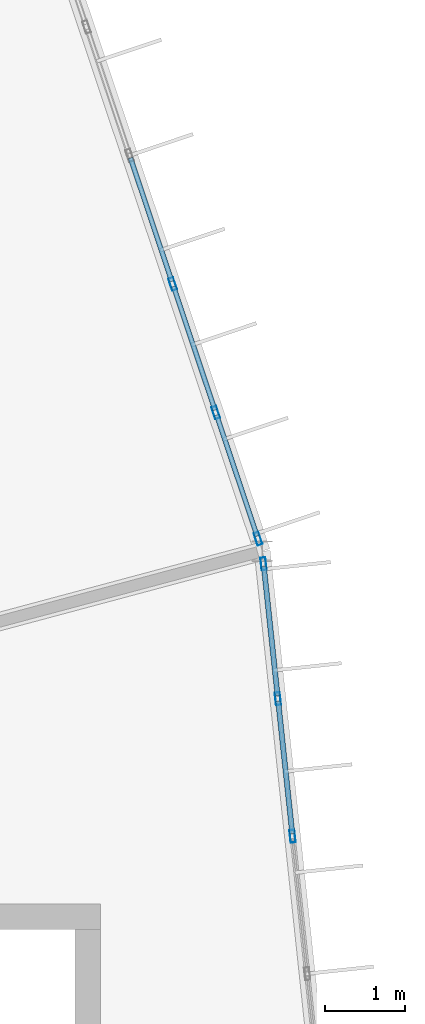
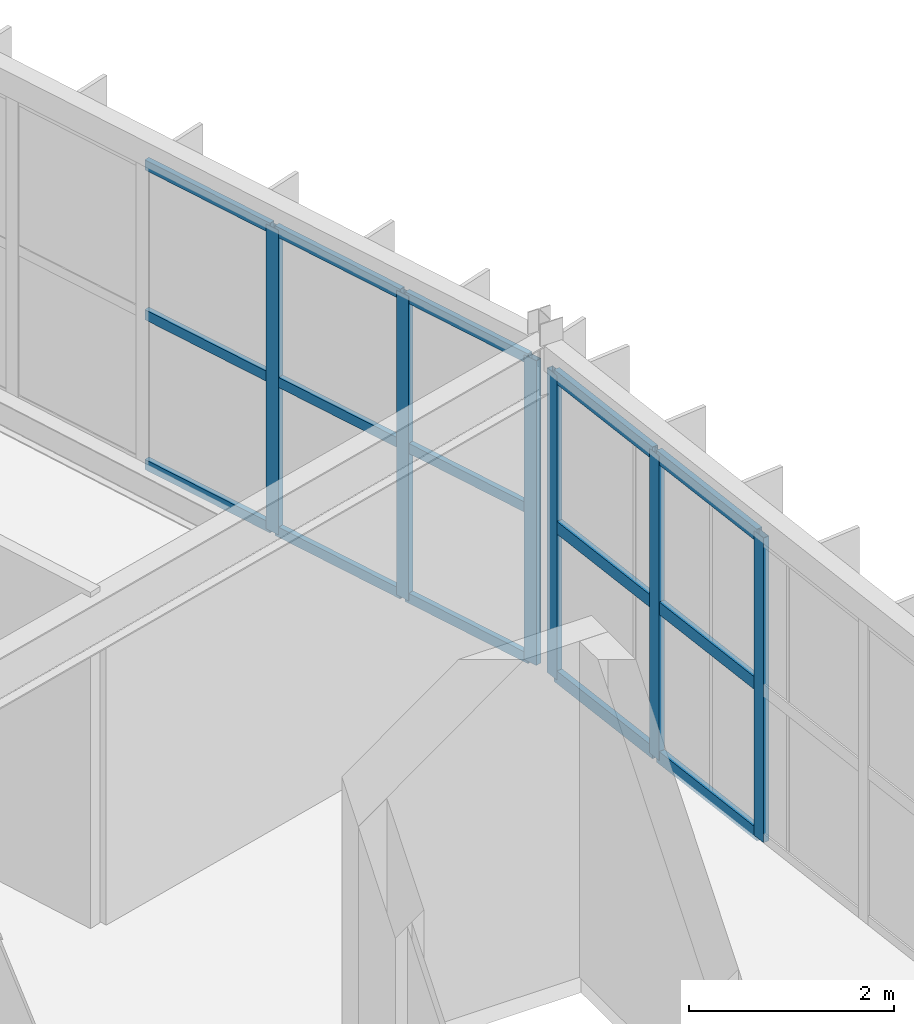
# One storey, part 53 of 106: 21 members, 2 elements without a shape of their own.
"""IFC4 building model written with IfcOpenShell, lengths in metres."""

from ifc_helpers import new_model, si_unit, direction, frame, origin, origin_2d, place, context, subcontext, project, spatial, hollow_rectangle, extrude, material, material_profile, profile_set, type_object, element, aggregate, save


model = new_model("IFC4")

# Units and contexts
model_context = context("Model", 3, precision=1e-05, world=origin(), true_north=direction((0.0, 1.0)))
body_context = subcontext(model_context, "Body", "Model", "MODEL_VIEW")
ifc_project = project(units=[si_unit("LENGTHUNIT", "METRE"), si_unit("AREAUNIT", "SQUARE_METRE"), si_unit("VOLUMEUNIT", "CUBIC_METRE"), si_unit("PLANEANGLEUNIT", "RADIAN"), si_unit("MASSUNIT", "GRAM", prefix="KILO")], contexts=[model_context])

# Site, building, storey
site_placement = place(None, origin())
site = spatial("IfcSite", under=ifc_project, at=site_placement, CompositionType="ELEMENT")
building_placement = place(site_placement, origin())
building = spatial("IfcBuilding", under=site, at=building_placement, Name="Karori Crest Natural Sciences Institute", CompositionType="ELEMENT")
storey_placement = place(building_placement, frame((0.0, 0.0, 25.89990234375)))
storey = spatial("IfcBuildingStorey", under=building, at=storey_placement, Name="L06", CompositionType="ELEMENT", Elevation=25.89990234375)

# Curtain wall, members
ifc_material = material(Name="Anodised architectural aluminium 6063-T6", Category="aluminium")
curtain_wall_type_1 = type_object("IfcCurtainWallType", Name="CWT-01", PredefinedType="NOTDEFINED", material=ifc_material)
curtain_wall_1_placement = place(storey_placement, origin())
curtain_wall_1 = element("IfcCurtainWall", 1, at=curtain_wall_1_placement, inside=storey, type_object=curtain_wall_type_1, Name="Curtain wall CW-0220", PredefinedType="NOTDEFINED")
ifc_material_profile_1 = material_profile(ifc_material, hollow_rectangle(XDim=0.06494140625, YDim=0.159912109375, WallThickness=0.00390625, at=origin_2d()), Name="CWM160x65x4")
ifc_profile_set_1 = profile_set([ifc_material_profile_1], Name="Anodised architectural aluminium 6063-T6")
member_type_1 = type_object("IfcMemberType", Name="CWM-01", PredefinedType="MULLION", material=ifc_profile_set_1)
member_1_placement = place(storey_placement, frame((98.292236328125, 60.302490234375, 0.0), z_axis=(0.0, 0.0, 1.0), x_axis=(0.994378435661, 0.105884496939, 0.0)))
member_1 = element("IfcMember", 2, at=member_1_placement, type_object=member_type_1, Name="CW-0220 mullion 1", PredefinedType="MULLION", context=body_context, shape_type="SweptSolid", body=[
    extrude(hollow_rectangle(XDim=0.06494140625, YDim=0.159912109375, WallThickness=0.00390625, at=origin_2d()), origin(), (0.0, 0.0, 1.0), 3.625),
])
member_2_placement = place(storey_placement, frame((98.471923828125, 58.616943359375, 0.0), z_axis=(0.0, 0.0, 1.0), x_axis=(0.994378435661, 0.105884496939, 0.0)))
member_2 = element("IfcMember", 3, at=member_2_placement, type_object=member_type_1, Name="CW-0220 mullion 2", PredefinedType="MULLION", context=body_context, shape_type="SweptSolid", body=[
    extrude(hollow_rectangle(XDim=0.06494140625, YDim=0.159912109375, WallThickness=0.00390625, at=origin_2d()), origin(), (0.0, 0.0, 1.0), 3.625),
])
member_3_placement = place(storey_placement, frame((98.65478515625, 56.899169921875, 0.0), z_axis=(0.0, 0.0, 1.0), x_axis=(0.994378435661, 0.105884496939, 0.0)))
member_3 = element("IfcMember", 4, at=member_3_placement, type_object=member_type_1, Name="CW-0220 mullion 3", PredefinedType="MULLION", context=body_context, shape_type="SweptSolid", body=[
    extrude(hollow_rectangle(XDim=0.06494140625, YDim=0.159912109375, WallThickness=0.00390625, at=origin_2d()), origin(), (0.0, 0.0, 1.0), 3.625),
])

curtain_wall_type_2 = type_object("IfcCurtainWallType", Name="CWT-02", PredefinedType="NOTDEFINED", material=ifc_material)
curtain_wall_2_placement = place(storey_placement, origin())
curtain_wall_2 = element("IfcCurtainWall", 5, at=curtain_wall_2_placement, inside=storey, type_object=curtain_wall_type_2, Name="Curtain wall CW-0222", PredefinedType="NOTDEFINED")
member_4_placement = place(storey_placement, frame((97.157470703125, 63.796875, 0.0), z_axis=(0.0, 0.0, 1.0), x_axis=(0.94819805026, 0.317679803392, 0.0)))
member_4 = element("IfcMember", 6, at=member_4_placement, type_object=member_type_1, Name="CW-0222 mullion 5", PredefinedType="MULLION", context=body_context, shape_type="SweptSolid", body=[
    extrude(hollow_rectangle(XDim=0.06494140625, YDim=0.159912109375, WallThickness=0.00390625, at=origin_2d()), origin(), (0.0, 0.0, 1.0), 3.625),
])
member_5_placement = place(storey_placement, frame((97.695556640625, 62.19091796875, 0.0), z_axis=(0.0, 0.0, 1.0), x_axis=(0.94819805026, 0.317679803392, 0.0)))
member_5 = element("IfcMember", 7, at=member_5_placement, type_object=member_type_1, Name="CW-0222 mullion 6", PredefinedType="MULLION", context=body_context, shape_type="SweptSolid", body=[
    extrude(hollow_rectangle(XDim=0.06494140625, YDim=0.159912109375, WallThickness=0.00390625, at=origin_2d()), origin(), (0.0, 0.0, 1.0), 3.625),
])
member_6_placement = place(storey_placement, frame((98.223388671875, 60.61572265625, 0.0), z_axis=(0.0, 0.0, 1.0), x_axis=(0.94819805026, 0.317679803392, 0.0)))
member_6 = element("IfcMember", 8, at=member_6_placement, type_object=member_type_1, Name="CW-0222 mullion 7", PredefinedType="MULLION", context=body_context, shape_type="SweptSolid", body=[
    extrude(hollow_rectangle(XDim=0.06494140625, YDim=0.159912109375, WallThickness=0.00390625, at=origin_2d()), origin(), (0.0, 0.0, 1.0), 3.625),
])
ifc_material_profile_2 = material_profile(ifc_material, hollow_rectangle(XDim=0.06005859375, YDim=0.1201171875, WallThickness=0.00390625, at=origin_2d()), Name="CWT120x60x4")
ifc_profile_set_2 = profile_set([ifc_material_profile_2], Name="Anodised architectural aluminium 6063-T6")
member_type_2 = type_object("IfcMemberType", Name="CWT-TR1", PredefinedType="USERDEFINED", material=ifc_profile_set_2)
member_7_placement = place(storey_placement, frame((96.6298828125, 65.3720703125, 0.030029296875), z_axis=(0.317621421426, -0.948217608279, 0.0), x_axis=(0.948217608279, 0.317621421426, 0.0)))
member_7 = element("IfcMember", 9, at=member_7_placement, type_object=member_type_2, Name="CW-0222 transom 4.1", ObjectType="TRANSOM", PredefinedType="USERDEFINED", context=body_context, shape_type="SweptSolid", body=[
    extrude(hollow_rectangle(XDim=0.06005859375, YDim=0.1201171875, WallThickness=0.00390625, at=origin_2d()), origin(), (0.0, 0.0, 1.0), 1.628662109375),
])
member_8_placement = place(storey_placement, frame((96.6298828125, 65.3720703125, 1.8125), z_axis=(0.317621421426, -0.948217608279, 0.0), x_axis=(0.948217608279, 0.317621421426, 0.0)))
member_8 = element("IfcMember", 10, at=member_8_placement, type_object=member_type_2, Name="CW-0222 transom 4.2", ObjectType="TRANSOM", PredefinedType="USERDEFINED", context=body_context, shape_type="SweptSolid", body=[
    extrude(hollow_rectangle(XDim=0.06005859375, YDim=0.1201171875, WallThickness=0.00390625, at=origin_2d()), origin(), (0.0, 0.0, 1.0), 1.628662109375),
])
member_9_placement = place(storey_placement, frame((96.6298828125, 65.3720703125, 3.59521484375), z_axis=(0.317621421426, -0.948217608279, 0.0), x_axis=(0.948217608279, 0.317621421426, 0.0)))
member_9 = element("IfcMember", 11, at=member_9_placement, type_object=member_type_2, Name="CW-0222 transom 4.3", ObjectType="TRANSOM", PredefinedType="USERDEFINED", context=body_context, shape_type="SweptSolid", body=[
    extrude(hollow_rectangle(XDim=0.06005859375, YDim=0.1201171875, WallThickness=0.00390625, at=origin_2d()), origin(), (0.0, 0.0, 1.0), 1.628662109375),
])
member_10_placement = place(storey_placement, frame((97.16796875, 63.76611328125, 0.030029296875), z_axis=(0.317621421426, -0.948217608279, 0.0), x_axis=(0.948217608279, 0.317621421426, 0.0)))
member_10 = element("IfcMember", 12, at=member_10_placement, type_object=member_type_2, Name="CW-0222 transom 5.1", ObjectType="TRANSOM", PredefinedType="USERDEFINED", context=body_context, shape_type="SweptSolid", body=[
    extrude(hollow_rectangle(XDim=0.06005859375, YDim=0.1201171875, WallThickness=0.00390625, at=origin_2d()), origin(), (0.0, 0.0, 1.0), 1.628662109375),
])
member_11_placement = place(storey_placement, frame((97.16796875, 63.76611328125, 1.8125), z_axis=(0.317621421426, -0.948217608279, 0.0), x_axis=(0.948217608279, 0.317621421426, 0.0)))
member_11 = element("IfcMember", 13, at=member_11_placement, type_object=member_type_2, Name="CW-0222 transom 5.2", ObjectType="TRANSOM", PredefinedType="USERDEFINED", context=body_context, shape_type="SweptSolid", body=[
    extrude(hollow_rectangle(XDim=0.06005859375, YDim=0.1201171875, WallThickness=0.00390625, at=origin_2d()), origin(), (0.0, 0.0, 1.0), 1.628662109375),
])
member_12_placement = place(storey_placement, frame((97.16796875, 63.76611328125, 3.59521484375), z_axis=(0.317621421426, -0.948217608279, 0.0), x_axis=(0.948217608279, 0.317621421426, 0.0)))
member_12 = element("IfcMember", 14, at=member_12_placement, type_object=member_type_2, Name="CW-0222 transom 5.3", ObjectType="TRANSOM", PredefinedType="USERDEFINED", context=body_context, shape_type="SweptSolid", body=[
    extrude(hollow_rectangle(XDim=0.06005859375, YDim=0.1201171875, WallThickness=0.00390625, at=origin_2d()), origin(), (0.0, 0.0, 1.0), 1.628662109375),
])
member_13_placement = place(storey_placement, frame((97.7060546875, 62.16015625, 0.030029296875), z_axis=(0.317649722808, -0.948208127786, 0.0), x_axis=(0.948208127786, 0.317649722808, 0.0)))
member_13 = element("IfcMember", 15, at=member_13_placement, type_object=member_type_2, Name="CW-0222 transom 6.1", ObjectType="TRANSOM", PredefinedType="USERDEFINED", context=body_context, shape_type="SweptSolid", body=[
    extrude(hollow_rectangle(XDim=0.06005859375, YDim=0.1201171875, WallThickness=0.00390625, at=origin_2d()), origin(), (0.0, 0.0, 1.0), 1.596435546875),
])
member_14_placement = place(storey_placement, frame((97.7060546875, 62.16015625, 1.8125), z_axis=(0.317649722808, -0.948208127786, 0.0), x_axis=(0.948208127786, 0.317649722808, 0.0)))
member_14 = element("IfcMember", 16, at=member_14_placement, type_object=member_type_2, Name="CW-0222 transom 6.2", ObjectType="TRANSOM", PredefinedType="USERDEFINED", context=body_context, shape_type="SweptSolid", body=[
    extrude(hollow_rectangle(XDim=0.06005859375, YDim=0.1201171875, WallThickness=0.00390625, at=origin_2d()), origin(), (0.0, 0.0, 1.0), 1.596435546875),
])
member_15_placement = place(storey_placement, frame((97.7060546875, 62.16015625, 3.59521484375), z_axis=(0.317649722808, -0.948208127786, 0.0), x_axis=(0.948208127786, 0.317649722808, 0.0)))
member_15 = element("IfcMember", 17, at=member_15_placement, type_object=member_type_2, Name="CW-0222 transom 6.3", ObjectType="TRANSOM", PredefinedType="USERDEFINED", context=body_context, shape_type="SweptSolid", body=[
    extrude(hollow_rectangle(XDim=0.06005859375, YDim=0.1201171875, WallThickness=0.00390625, at=origin_2d()), origin(), (0.0, 0.0, 1.0), 1.596435546875),
])
aggregate(curtain_wall_2, [member_4, member_5, member_6, member_7, member_8, member_9, member_10, member_11, member_12, member_13, member_14, member_15])

# Member
ifc_material_profile_3 = material_profile(ifc_material, hollow_rectangle(XDim=0.06494140625, YDim=0.14990234375, WallThickness=0.00390625, at=origin_2d()), Name="CWT150x65x4")
ifc_profile_set_3 = profile_set([ifc_material_profile_3], Name="Anodised architectural aluminium 6063-T6")
member_type_3 = type_object("IfcMemberType", Name="CWT-TR2", PredefinedType="USERDEFINED", material=ifc_profile_set_3)
member_16_placement = place(storey_placement, frame((98.2958984375, 60.270263671875, 0.03271484375), z_axis=(0.105745089448, -0.99439327032, 0.0), x_axis=(0.99439327032, 0.105745089448, 0.0)))
member_16 = element("IfcMember", 18, at=member_16_placement, type_object=member_type_3, Name="CW-0220 transom 1.1", ObjectType="TRANSOM", PredefinedType="USERDEFINED", context=body_context, shape_type="SweptSolid", body=[
    extrude(hollow_rectangle(XDim=0.06494140625, YDim=0.14990234375, WallThickness=0.00390625, at=origin_2d()), origin(), (0.0, 0.0, 1.0), 1.6298828125),
])

member_17_placement = place(storey_placement, frame((98.2958984375, 60.270263671875, 1.8125), z_axis=(0.105745089448, -0.99439327032, 0.0), x_axis=(0.99439327032, 0.105745089448, 0.0)))
member_17 = element("IfcMember", 19, at=member_17_placement, type_object=member_type_3, Name="CW-0220 transom 1.2", ObjectType="TRANSOM", PredefinedType="USERDEFINED", context=body_context, shape_type="SweptSolid", body=[
    extrude(hollow_rectangle(XDim=0.06494140625, YDim=0.14990234375, WallThickness=0.00390625, at=origin_2d()), origin(), (0.0, 0.0, 1.0), 1.6298828125),
])

member_18_placement = place(storey_placement, frame((98.2958984375, 60.270263671875, 3.592529296875), z_axis=(0.105745089448, -0.99439327032, 0.0), x_axis=(0.99439327032, 0.105745089448, 0.0)))
member_18 = element("IfcMember", 20, at=member_18_placement, type_object=member_type_3, Name="CW-0220 transom 1.3", ObjectType="TRANSOM", PredefinedType="USERDEFINED", context=body_context, shape_type="SweptSolid", body=[
    extrude(hollow_rectangle(XDim=0.06494140625, YDim=0.14990234375, WallThickness=0.00390625, at=origin_2d()), origin(), (0.0, 0.0, 1.0), 1.6298828125),
])

member_19_placement = place(storey_placement, frame((98.475341796875, 58.584716796875, 0.03271484375), z_axis=(0.105869463411, -0.994380036363, 0.0), x_axis=(0.994380036363, 0.105869463411, 0.0)))
member_19 = element("IfcMember", 21, at=member_19_placement, type_object=member_type_3, Name="CW-0220 transom 2.1", ObjectType="TRANSOM", PredefinedType="USERDEFINED", context=body_context, shape_type="SweptSolid", body=[
    extrude(hollow_rectangle(XDim=0.06494140625, YDim=0.14990234375, WallThickness=0.00390625, at=origin_2d()), origin(), (0.0, 0.0, 1.0), 1.66259765625),
])

member_20_placement = place(storey_placement, frame((98.475341796875, 58.584716796875, 1.8125), z_axis=(0.105869463411, -0.994380036363, 0.0), x_axis=(0.994380036363, 0.105869463411, 0.0)))
member_20 = element("IfcMember", 22, at=member_20_placement, type_object=member_type_3, Name="CW-0220 transom 2.2", ObjectType="TRANSOM", PredefinedType="USERDEFINED", context=body_context, shape_type="SweptSolid", body=[
    extrude(hollow_rectangle(XDim=0.06494140625, YDim=0.14990234375, WallThickness=0.00390625, at=origin_2d()), origin(), (0.0, 0.0, 1.0), 1.66259765625),
])

member_21_placement = place(storey_placement, frame((98.475341796875, 58.584716796875, 3.592529296875), z_axis=(0.105869463411, -0.994380036363, 0.0), x_axis=(0.994380036363, 0.105869463411, 0.0)))
member_21 = element("IfcMember", 23, at=member_21_placement, type_object=member_type_3, Name="CW-0220 transom 2.3", ObjectType="TRANSOM", PredefinedType="USERDEFINED", context=body_context, shape_type="SweptSolid", body=[
    extrude(hollow_rectangle(XDim=0.06494140625, YDim=0.14990234375, WallThickness=0.00390625, at=origin_2d()), origin(), (0.0, 0.0, 1.0), 1.66259765625),
])

aggregate(curtain_wall_1, [member_1, member_2, member_3, member_16, member_17, member_18, member_19, member_20, member_21])

save(model, "model.ifc")
